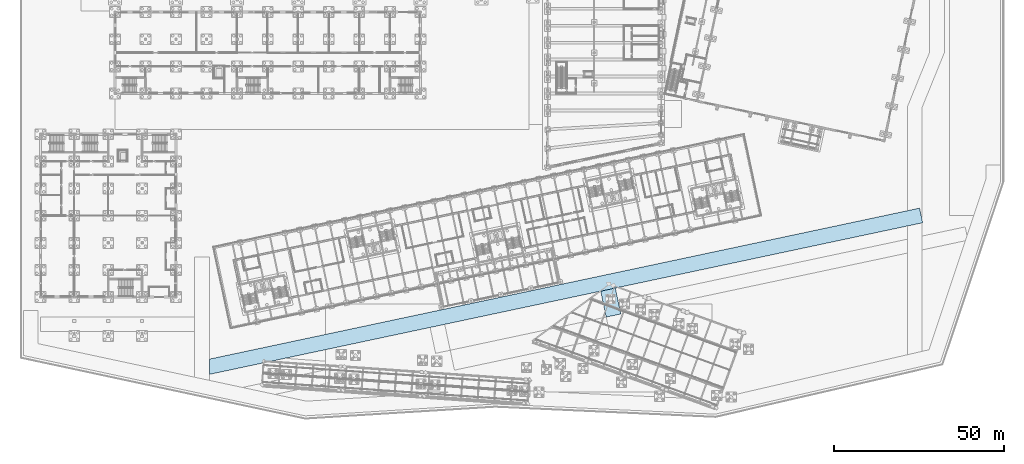
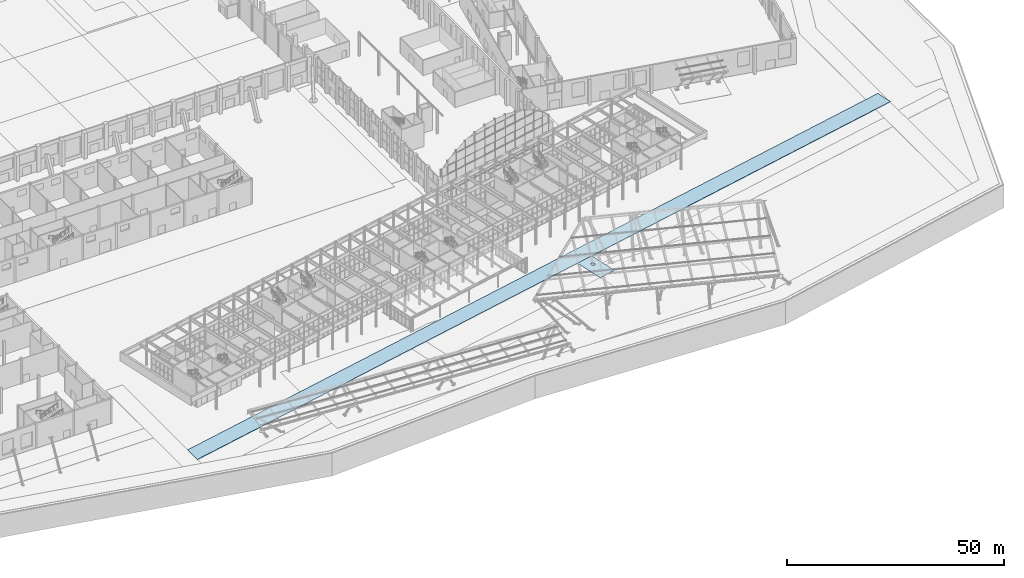
# One storey, part 149 of 239: 2 slabs.
"""IFC4 building model written with IfcOpenShell, lengths in metres."""

from ifc_helpers import new_model, si_unit, direction, frame, origin, place, context, subcontext, project, spatial, polyline, outline, extrude, material, layer, layer_set, type_object, element, save


model = new_model("IFC4")

# Units and contexts
model_context = context("Model", 3, precision=1e-05, world=origin(), true_north=direction((0.0, 1.0)))
body_context = subcontext(model_context, "Body", "Model", "MODEL_VIEW")
ifc_project = project(units=[si_unit("LENGTHUNIT", "METRE"), si_unit("AREAUNIT", "SQUARE_METRE"), si_unit("VOLUMEUNIT", "CUBIC_METRE"), si_unit("PLANEANGLEUNIT", "RADIAN"), si_unit("MASSUNIT", "GRAM", prefix="KILO")], contexts=[model_context])

# Site, building, storey
site_placement = place(None, origin())
site = spatial("IfcSite", under=ifc_project, at=site_placement, CompositionType="ELEMENT")
building_placement = place(site_placement, origin())
building = spatial("IfcBuilding", under=site, at=building_placement, Name="Okhra Congress Centre", CompositionType="ELEMENT")
storey_placement = place(building_placement, origin())
storey = spatial("IfcBuildingStorey", under=building, at=storey_placement, Name="L00", CompositionType="ELEMENT", Elevation=0.0)

# Slabs
ifc_material = material(Name="Concrete C30/37", Category="concrete")
ifc_layer = layer(ifc_material, 0.219970703125)
ifc_layer_set = layer_set([ifc_layer], Name="RC fire appliance lane slab 220 C30/37")
slab_type = type_object("IfcSlabType", Name="RC fire appliance lane slab 220 C30/37", PredefinedType="BASESLAB", material=ifc_layer_set)
slab_1_placement = place(storey_placement, frame((0.0, 0.0, -0.219970703125)))
element("IfcSlab", 1, at=slab_1_placement, inside=storey, type_object=slab_type, Name="Fire Route Court paving", PredefinedType="BASESLAB", context=body_context, shape_type="SweptSolid", body=[
    extrude(outline(polyline([(265.109375, 62.21728515625), (55.89990234375, 17.74853515625), (55.89990234375, 13.250244140625), (266.024169921875, 57.91357421875), (265.109375, 62.21728515625)])), origin(), (0.0, 0.0, 1.0), 0.219970703125),
])
slab_2_placement = place(storey_placement, frame((0.0, 0.0, -0.219970703125)))
element("IfcSlab", 2, at=slab_2_placement, inside=storey, type_object=slab_type, Name="Fire Route Porch East Link paving", PredefinedType="BASESLAB", context=body_context, shape_type="SweptSolid", body=[
    extrude(outline(polyline([(177.0693359375, 31.031494140625), (175.447509765625, 38.660888671875), (171.143798828125, 37.74609375), (172.765380859375, 30.11669921875), (177.0693359375, 31.031494140625)]), holes=[polyline([(173.661865234375, 36.025146484375), (173.624755859375, 35.95263671875), (173.611572265625, 35.914306640625), (173.602294921875, 35.87451171875), (173.595703125, 35.79345703125), (173.644287109375, 35.37158203125), (173.669189453125, 35.2939453125), (173.708740234375, 35.222900390625), (173.76123046875, 35.160888671875), (173.8251953125, 35.1103515625), (173.8974609375, 35.072998046875), (173.9755859375, 35.05078125), (174.056640625, 35.044189453125), (174.1376953125, 35.053466796875), (174.215087890625, 35.078369140625), (174.2861328125, 35.117919921875), (174.34814453125, 35.17041015625), (174.398681640625, 35.234130859375), (174.419189453125, 35.26953125), (174.448974609375, 35.34521484375), (174.463623046875, 35.42529296875), (174.462158203125, 35.50634765625), (174.416259765625, 35.887939453125), (174.391357421875, 35.96533203125), (174.351806640625, 36.036376953125), (174.3271484375, 36.068603515625), (174.268798828125, 36.125244140625), (174.2001953125, 36.16943359375), (174.12451171875, 36.19921875), (174.044677734375, 36.2138671875), (174.00390625, 36.215087890625), (173.923095703125, 36.205810546875), (173.8837890625, 36.1953125), (173.80908203125, 36.1630859375), (173.7744140625, 36.1416015625), (173.71240234375, 36.0888671875), (173.661865234375, 36.025146484375)])]), origin(), (0.0, 0.0, 1.0), 0.219970703125),
])

save(model, "model.ifc")
